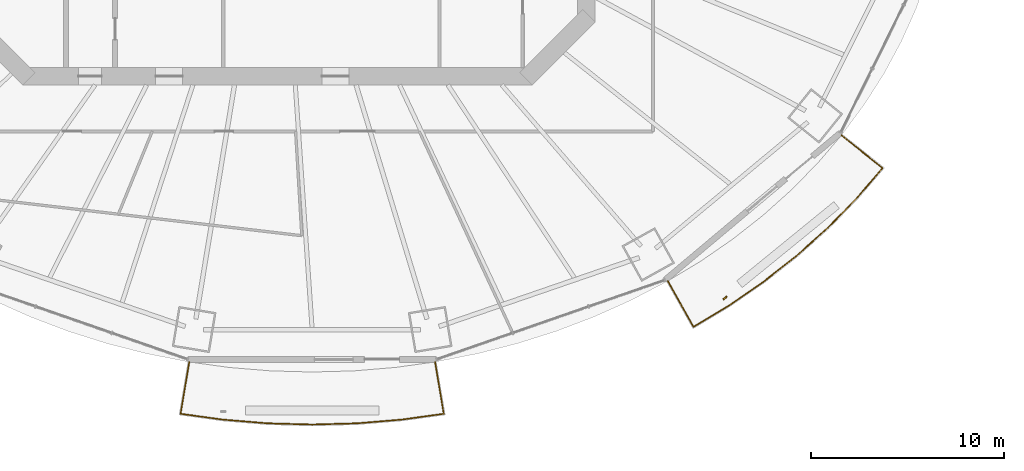
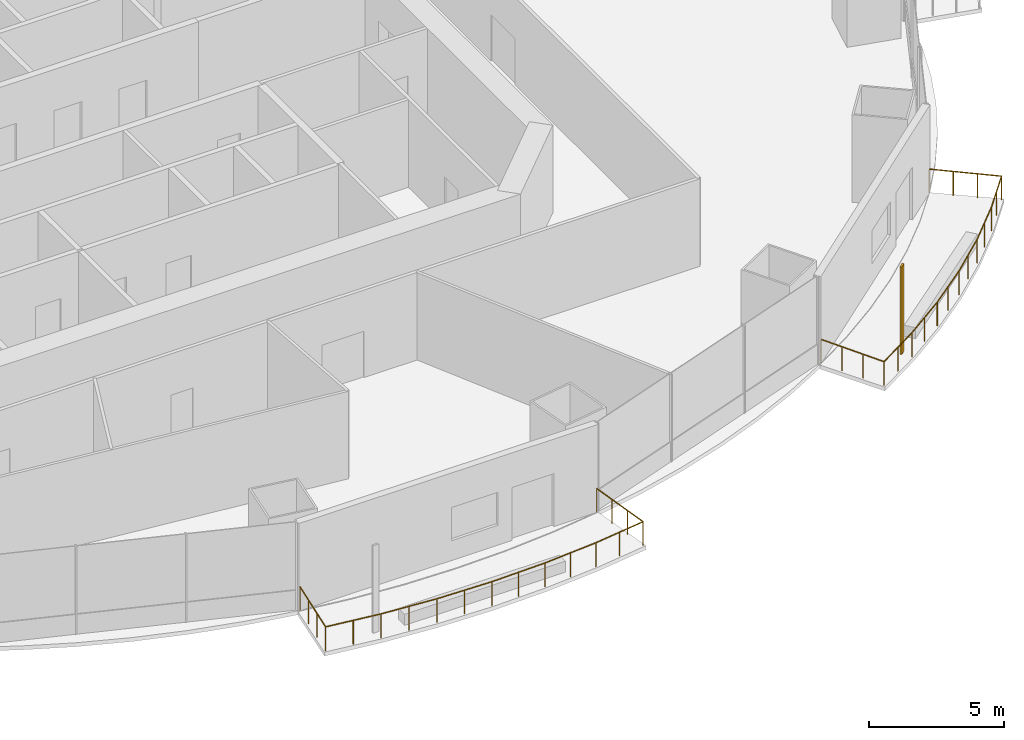
# One storey, part 17 of 21: 2 railings, 1 shading device.
"""IFC4 building model written with IfcOpenShell, lengths in metres."""

from ifc_helpers import new_model, si_unit, direction, frame, origin, origin_2d, place, context, subcontext, project, spatial, rectangle, circle, extrude, material, material_profile, profile_set, type_object, element, save


model = new_model("IFC4")

# Units and contexts
model_context = context("Model", 3, precision=1e-05, world=origin(), true_north=direction((0.0, 1.0)))
body_context = subcontext(model_context, "Body", "Model", "MODEL_VIEW")
ifc_project = project(units=[si_unit("LENGTHUNIT", "METRE"), si_unit("AREAUNIT", "SQUARE_METRE"), si_unit("VOLUMEUNIT", "CUBIC_METRE"), si_unit("PLANEANGLEUNIT", "RADIAN"), si_unit("MASSUNIT", "GRAM", prefix="KILO")], contexts=[model_context])

# Site, building, storey
site_placement = place(None, origin())
site = spatial("IfcSite", under=ifc_project, at=site_placement, CompositionType="ELEMENT")
building_placement = place(site_placement, origin())
building = spatial("IfcBuilding", under=site, at=building_placement, Name="Marenthal Gate Tower", CompositionType="ELEMENT")
storey_placement = place(building_placement, frame((0.0, 0.0, 169.35009765625)))
storey = spatial("IfcBuildingStorey", under=building, at=storey_placement, Name="L36", CompositionType="ELEMENT", Elevation=169.35009765625)

# Railings
ifc_material_1 = material(Name="Stainless steel", Category="steel")
railing_type = type_object("IfcRailingType", Name="Balcony guard 1100", PredefinedType="GUARDRAIL", material=ifc_material_1)
railing_1_placement = place(storey_placement, frame((8.162841796875, -27.792724609375, 0.0)))
element("IfcRailing", 1, at=railing_1_placement, inside=storey, type_object=railing_type, Name="Balcony guard L36 bay 12", PredefinedType="GUARDRAIL", context=body_context, shape_type="SweptSolid", body=[
    extrude(circle(Radius=0.02392578125, at=origin_2d()), frame((0.0, 0.0, 1.076171875), z_axis=(0.164774109377, -0.986221507592, -0.014718384498), x_axis=(0.986328347949, 0.164791959854, 0.0)), (0.0, 0.0, 1.0), 2.720458984375),
    extrude(circle(Radius=0.02392578125, at=origin_2d()), frame((0.4482421875, -2.682861328125, 1.0361328125), z_axis=(-0.990684581728, -0.136176574808, 0.0), x_axis=(0.136176574808, -0.990684581728, 0.0)), (0.0, 0.0, 1.0), 2.22314453125),
    extrude(circle(Radius=0.02392578125, at=origin_2d()), frame((-1.754150390625, -2.985595703125, 1.0361328125), z_axis=(-0.996597373324, -0.082423755581, 0.0), x_axis=(0.082423755581, -0.996597373324, 0.0)), (0.0, 0.0, 1.0), 2.307373046875),
    extrude(circle(Radius=0.02392578125, at=origin_2d()), frame((-4.0537109375, -3.17578125, 1.0361328125), z_axis=(-0.999622365191, -0.027479574429, 0.0), x_axis=(0.027479574429, -0.999622365191, 0.0)), (0.0, 0.0, 1.0), 2.31005859375),
    extrude(circle(Radius=0.02392578125, at=origin_2d()), frame((-6.36279296875, -3.2392578125, 1.0361328125), z_axis=(-0.999622365191, 0.027479574429, 0.0), x_axis=(-0.027479574429, -0.999622365191, 0.0)), (0.0, 0.0, 1.0), 2.31005859375),
    extrude(circle(Radius=0.02392578125, at=origin_2d()), frame((-8.671875, -3.17578125, 1.0361328125), z_axis=(-0.996598092029, 0.082415065148, 0.0), x_axis=(-0.082415065148, -0.996598092029, 0.0)), (0.0, 0.0, 1.0), 2.3076171875),
    extrude(circle(Radius=0.02392578125, at=origin_2d()), frame((-10.9716796875, -2.985595703125, 1.0361328125), z_axis=(-0.99068254489, 0.13619139198, 0.0), x_axis=(-0.13619139198, -0.99068254489, 0.0)), (0.0, 0.0, 1.0), 2.222900390625),
    extrude(circle(Radius=0.02392578125, at=origin_2d()), frame((-13.173828125, -2.682861328125, 1.0361328125), z_axis=(0.164774109377, 0.986221507592, 0.014718384498), x_axis=(-0.986328347949, 0.164791959854, 0.0)), (0.0, 0.0, 1.0), 2.720458984375),
    extrude(circle(Radius=0.02099609375, at=origin_2d()), origin(), (0.0, 0.0, 1.0), 1.052001953125),
    extrude(circle(Radius=0.02099609375, at=origin_2d()), frame((0.1494140625, -0.894287109375, -0.013427734375)), (0.0, 0.0, 1.0), 1.052001953125),
    extrude(circle(Radius=0.02099609375, at=origin_2d()), frame((0.298828125, -1.78857421875, -0.026611328125)), (0.0, 0.0, 1.0), 1.052001953125),
    extrude(circle(Radius=0.02099609375, at=origin_2d()), frame((0.4482421875, -2.682861328125, -0.0400390625)), (0.0, 0.0, 1.0), 1.052001953125),
    extrude(circle(Radius=0.02099609375, at=origin_2d()), frame((-0.65283203125, -2.834228515625, -0.0400390625)), (0.0, 0.0, 1.0), 1.052001953125),
    extrude(circle(Radius=0.02099609375, at=origin_2d()), frame((-1.754150390625, -2.985595703125, -0.0400390625)), (0.0, 0.0, 1.0), 1.052001953125),
    extrude(circle(Radius=0.02099609375, at=origin_2d()), frame((-2.90380859375, -3.08056640625, -0.0400390625)), (0.0, 0.0, 1.0), 1.052001953125),
    extrude(circle(Radius=0.02099609375, at=origin_2d()), frame((-4.0537109375, -3.17578125, -0.0400390625)), (0.0, 0.0, 1.0), 1.052001953125),
    extrude(circle(Radius=0.02099609375, at=origin_2d()), frame((-5.208251953125, -3.20751953125, -0.0400390625)), (0.0, 0.0, 1.0), 1.052001953125),
    extrude(circle(Radius=0.02099609375, at=origin_2d()), frame((-6.36279296875, -3.2392578125, -0.0400390625)), (0.0, 0.0, 1.0), 1.052001953125),
    extrude(circle(Radius=0.02099609375, at=origin_2d()), frame((-7.517333984375, -3.20751953125, -0.0400390625)), (0.0, 0.0, 1.0), 1.052001953125),
    extrude(circle(Radius=0.02099609375, at=origin_2d()), frame((-8.671875, -3.17578125, -0.0400390625)), (0.0, 0.0, 1.0), 1.052001953125),
    extrude(circle(Radius=0.02099609375, at=origin_2d()), frame((-9.82177734375, -3.08056640625, -0.0400390625)), (0.0, 0.0, 1.0), 1.052001953125),
    extrude(circle(Radius=0.02099609375, at=origin_2d()), frame((-10.9716796875, -2.985595703125, -0.0400390625)), (0.0, 0.0, 1.0), 1.052001953125),
    extrude(circle(Radius=0.02099609375, at=origin_2d()), frame((-12.07275390625, -2.834228515625, -0.0400390625)), (0.0, 0.0, 1.0), 1.052001953125),
    extrude(circle(Radius=0.02099609375, at=origin_2d()), frame((-13.173828125, -2.682861328125, -0.0400390625)), (0.0, 0.0, 1.0), 1.052001953125),
    extrude(circle(Radius=0.02099609375, at=origin_2d()), frame((-13.0244140625, -1.78857421875, -0.026611328125)), (0.0, 0.0, 1.0), 1.052001953125),
    extrude(circle(Radius=0.02099609375, at=origin_2d()), frame((-12.875, -0.894287109375, -0.013427734375)), (0.0, 0.0, 1.0), 1.052001953125),
    extrude(circle(Radius=0.02099609375, at=origin_2d()), frame((-12.7255859375, 0.0, 0.0)), (0.0, 0.0, 1.0), 1.052001953125),
])
railing_2_placement = place(storey_placement, frame((29.20458984375, -16.05859375, 0.0)))
element("IfcRailing", 2, at=railing_2_placement, inside=storey, type_object=railing_type, Name="Balcony guard L36 bay 14", PredefinedType="GUARDRAIL", context=body_context, shape_type="SweptSolid", body=[
    extrude(circle(Radius=0.02392578125, at=origin_2d()), frame((0.0, 0.0, 1.076171875), z_axis=(0.782541115897, -0.622424892619, -0.014719204382), x_axis=(0.622492329303, 0.782625900388, 0.0)), (0.0, 0.0, 1.0), 2.72021484375),
    extrude(circle(Radius=0.02392578125, at=origin_2d()), frame((2.128662109375, -1.693115234375, 1.0361328125), z_axis=(-0.650348633752, -0.759635869727, 0.0), x_axis=(0.759635869727, -0.650348633752, 0.0)), (0.0, 0.0, 1.0), 2.0439453125),
    extrude(circle(Radius=0.02392578125, at=origin_2d()), frame((0.79931640625, -3.245849609375, 1.0361328125), z_axis=(-0.69902569002, -0.715096556202, 0.0), x_axis=(0.715096556202, -0.69902569002, 0.0)), (0.0, 0.0, 1.0), 2.14208984375),
    extrude(circle(Radius=0.02392578125, at=origin_2d()), frame((-0.697998046875, -4.777587890625, 1.0361328125), z_axis=(-0.744747583636, -0.667346264445, 0.0), x_axis=(0.667346264445, -0.744747583636, 0.0)), (0.0, 0.0, 1.0), 2.16064453125),
    extrude(circle(Radius=0.02392578125, at=origin_2d()), frame((-2.30712890625, -6.219482421875, 1.0361328125), z_axis=(-0.786162827468, -0.618019424215, 0.0), x_axis=(0.618019424215, -0.786162827468, 0.0)), (0.0, 0.0, 1.0), 2.179443359375),
    extrude(circle(Radius=0.02392578125, at=origin_2d()), frame((-4.0205078125, -7.56640625, 1.0361328125), z_axis=(-0.823545660097, -0.567249985223, 0.0), x_axis=(0.567249985223, -0.823545660097, 0.0)), (0.0, 0.0, 1.0), 2.197509765625),
    extrude(circle(Radius=0.02392578125, at=origin_2d()), frame((-5.830322265625, -8.81298828125, 1.0361328125), z_axis=(-0.856310567602, -0.516461239411, 0.0), x_axis=(0.516461239411, -0.856310567602, 0.0)), (0.0, 0.0, 1.0), 2.1357421875),
    extrude(circle(Radius=0.02392578125, at=origin_2d()), frame((-7.6591796875, -9.916015625, 1.0361328125), z_axis=(-0.4893727887, 0.871950488724, 0.014717978608), x_axis=(-0.872044944545, -0.489425801009, 0.0)), (0.0, 0.0, 1.0), 2.720458984375),
    extrude(circle(Radius=0.02099609375, at=origin_2d()), origin(), (0.0, 0.0, 1.0), 1.052001953125),
    extrude(circle(Radius=0.02099609375, at=origin_2d()), frame((0.70947265625, -0.564453125, -0.013427734375)), (0.0, 0.0, 1.0), 1.052001953125),
    extrude(circle(Radius=0.02099609375, at=origin_2d()), frame((1.419189453125, -1.128662109375, -0.026611328125)), (0.0, 0.0, 1.0), 1.052001953125),
    extrude(circle(Radius=0.02099609375, at=origin_2d()), frame((2.128662109375, -1.693115234375, -0.0400390625)), (0.0, 0.0, 1.0), 1.052001953125),
    extrude(circle(Radius=0.02099609375, at=origin_2d()), frame((1.4638671875, -2.469482421875, -0.0400390625)), (0.0, 0.0, 1.0), 1.052001953125),
    extrude(circle(Radius=0.02099609375, at=origin_2d()), frame((0.79931640625, -3.245849609375, -0.0400390625)), (0.0, 0.0, 1.0), 1.052001953125),
    extrude(circle(Radius=0.02099609375, at=origin_2d()), frame((0.05078125, -4.01171875, -0.0400390625)), (0.0, 0.0, 1.0), 1.052001953125),
    extrude(circle(Radius=0.02099609375, at=origin_2d()), frame((-0.697998046875, -4.777587890625, -0.0400390625)), (0.0, 0.0, 1.0), 1.052001953125),
    extrude(circle(Radius=0.02099609375, at=origin_2d()), frame((-1.50244140625, -5.49853515625, -0.0400390625)), (0.0, 0.0, 1.0), 1.052001953125),
    extrude(circle(Radius=0.02099609375, at=origin_2d()), frame((-2.30712890625, -6.219482421875, -0.0400390625)), (0.0, 0.0, 1.0), 1.052001953125),
    extrude(circle(Radius=0.02099609375, at=origin_2d()), frame((-3.163818359375, -6.89306640625, -0.0400390625)), (0.0, 0.0, 1.0), 1.052001953125),
    extrude(circle(Radius=0.02099609375, at=origin_2d()), frame((-4.0205078125, -7.56640625, -0.0400390625)), (0.0, 0.0, 1.0), 1.052001953125),
    extrude(circle(Radius=0.02099609375, at=origin_2d()), frame((-4.92529296875, -8.189697265625, -0.0400390625)), (0.0, 0.0, 1.0), 1.052001953125),
    extrude(circle(Radius=0.02099609375, at=origin_2d()), frame((-5.830322265625, -8.81298828125, -0.0400390625)), (0.0, 0.0, 1.0), 1.052001953125),
    extrude(circle(Radius=0.02099609375, at=origin_2d()), frame((-6.74462890625, -9.364501953125, -0.0400390625)), (0.0, 0.0, 1.0), 1.052001953125),
    extrude(circle(Radius=0.02099609375, at=origin_2d()), frame((-7.6591796875, -9.916015625, -0.0400390625)), (0.0, 0.0, 1.0), 1.052001953125),
    extrude(circle(Radius=0.02099609375, at=origin_2d()), frame((-8.10302734375, -9.125244140625, -0.026611328125)), (0.0, 0.0, 1.0), 1.052001953125),
    extrude(circle(Radius=0.02099609375, at=origin_2d()), frame((-8.546630859375, -8.334716796875, -0.013427734375)), (0.0, 0.0, 1.0), 1.052001953125),
    extrude(circle(Radius=0.02099609375, at=origin_2d()), frame((-8.990478515625, -7.5439453125, 0.0)), (0.0, 0.0, 1.0), 1.052001953125),
])

# Shading device
ifc_material_2 = material(Name="Terracotta", Category="masonry")
ifc_material_profile = material_profile(ifc_material_2, rectangle(XDim=0.25, YDim=0.080078125, at=origin_2d()), Name="Terracotta baguette 250x80")
ifc_profile_set = profile_set([ifc_material_profile], Name="Terracotta")
shading_device_type = type_object("IfcShadingDeviceType", Name="Terracotta BAGUETTE SCREEN 250x80", PredefinedType="USERDEFINED", material=ifc_profile_set)
shading_device_placement = place(storey_placement, frame((23.17919921875, -24.473388671875, -0.0400390625), z_axis=(0.0, 0.0, 1.0), x_axis=(0.765921119211, 0.642934552771, 0.0)))
element("IfcShadingDevice", 3, at=shading_device_placement, inside=storey, type_object=shading_device_type, Name="Terracotta BAGUETTE L36 bay 14L", ObjectType="BAGUETTE SCREEN", PredefinedType="USERDEFINED", context=body_context, shape_type="SweptSolid", body=[
    extrude(rectangle(XDim=0.25, YDim=0.080078125, at=origin_2d()), origin(), (0.0, 0.0, 1.0), 3.969970703125),
])

save(model, "model.ifc")
